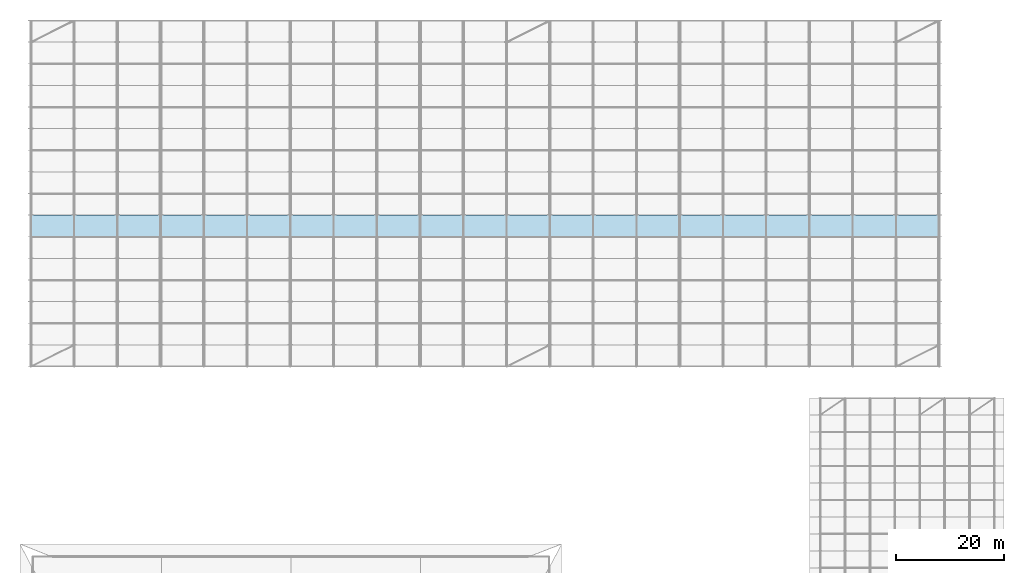
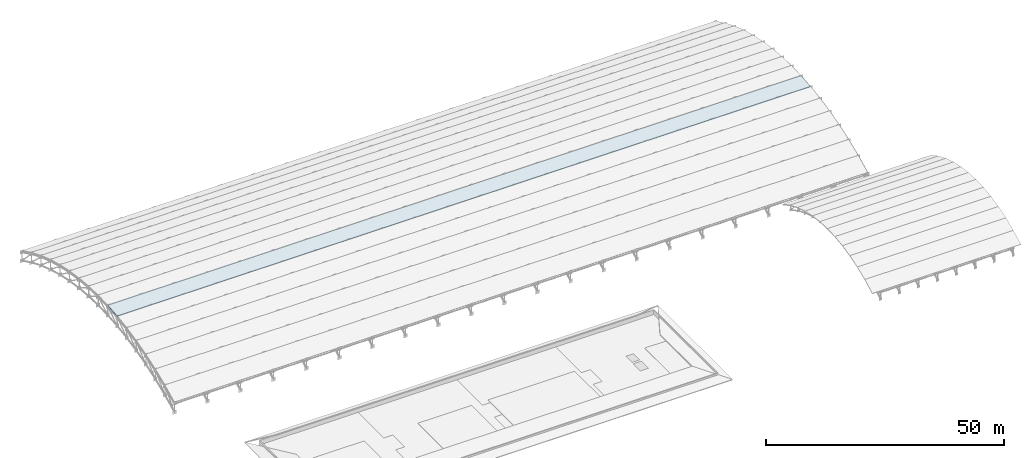
# One storey, part 74 of 98: 1 slab.
"""IFC4 building model written with IfcOpenShell, lengths in metres."""

from ifc_helpers import new_model, si_unit, direction, frame, origin, place, context, subcontext, project, spatial, polyline, outline, extrude, material, layer, layer_set, type_object, element, save


model = new_model("IFC4")

# Units and contexts
model_context = context("Model", 3, precision=1e-05, world=origin(), true_north=direction((0.0, 1.0)))
body_context = subcontext(model_context, "Body", "Model", "MODEL_VIEW")
ifc_project = project(units=[si_unit("LENGTHUNIT", "METRE"), si_unit("AREAUNIT", "SQUARE_METRE"), si_unit("VOLUMEUNIT", "CUBIC_METRE"), si_unit("PLANEANGLEUNIT", "RADIAN"), si_unit("MASSUNIT", "GRAM", prefix="KILO")], contexts=[model_context])

# Site, building, storey
site_placement = place(None, origin())
site = spatial("IfcSite", under=ifc_project, at=site_placement, CompositionType="ELEMENT")
building_placement = place(site_placement, origin())
building = spatial("IfcBuilding", under=site, at=building_placement, Name="Tlacozan Convention Centre", CompositionType="ELEMENT")
storey_placement = place(building_placement, frame((0.0, 0.0, 25.800048828125)))
storey = spatial("IfcBuildingStorey", under=building, at=storey_placement, Name="Roof", CompositionType="ELEMENT", Elevation=25.800048828125)

# Slab
ifc_material = material(Name="Concrete C40/50", Category="concrete")
ifc_layer = layer(ifc_material, 0.179931640625)
ifc_layer_set = layer_set([ifc_layer], Name="Concrete C40/50")
slab_type = type_object("IfcSlabType", Name="Exhibition Arched Roof Deck 180", PredefinedType="ROOF", material=ifc_layer_set)
slab_placement = place(storey_placement, frame((0.0, 86.0, -2.76220703125), z_axis=(0.0, -0.088277058926, 0.996095959668), x_axis=(1.0, 0.0, 0.0)))
element("IfcSlab", 1, at=slab_placement, inside=storey, type_object=slab_type, Name="V2A Arched Roof Facet Slab 7", PredefinedType="ROOF", context=body_context, shape_type="SweptSolid", body=[
    extrude(outline(polyline([(0.0, 0.0), (168.0, 0.0), (168.0, 4.015677366397671), (0.0, 4.015677366397671), (0.0, 0.0)])), origin(), (0.0, 0.0, -1.0), 0.179931640625),
])

save(model, "model.ifc")
